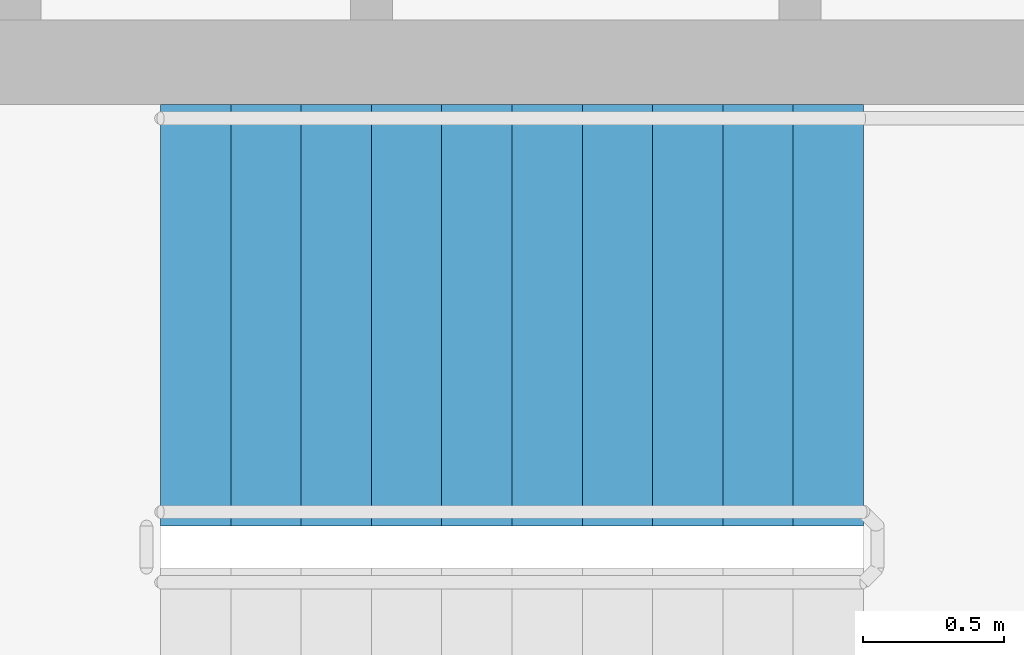
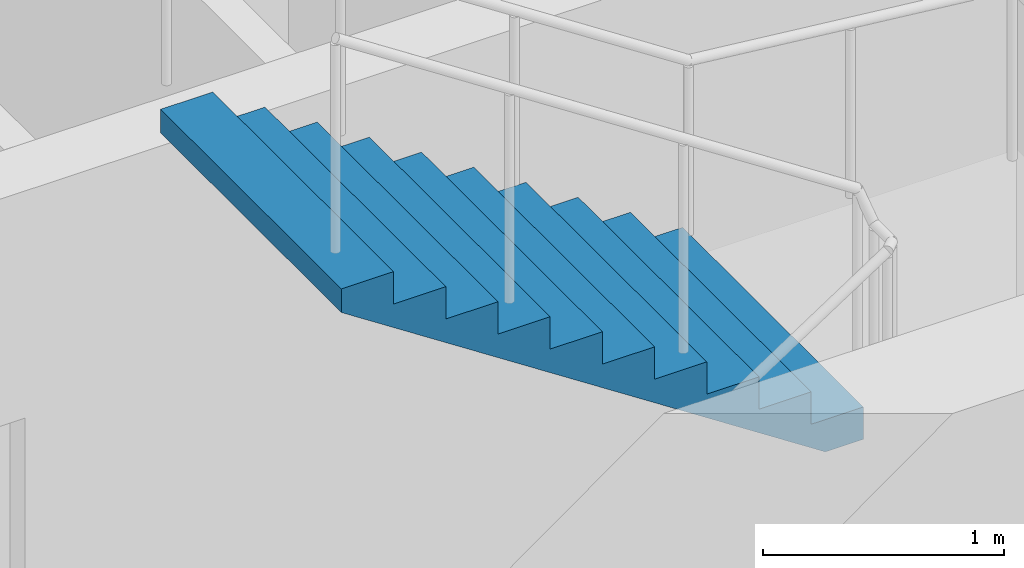
# One storey, part 12 of 13: 1 stair flight, 1 element without a shape of its own.
"""IFC4 building model written with IfcOpenShell, lengths in metres."""

from ifc_helpers import new_model, si_unit, direction, frame, origin, place, context, subcontext, project, spatial, polyline, outline, extrude, material, type_object, element, aggregate, save


model = new_model("IFC4")

# Units and contexts
model_context = context("Model", 3, precision=1e-05, world=origin(), true_north=direction((0.0, 1.0)))
body_context = subcontext(model_context, "Body", "Model", "MODEL_VIEW")
ifc_project = project(units=[si_unit("LENGTHUNIT", "METRE"), si_unit("AREAUNIT", "SQUARE_METRE"), si_unit("VOLUMEUNIT", "CUBIC_METRE"), si_unit("PLANEANGLEUNIT", "RADIAN"), si_unit("MASSUNIT", "GRAM", prefix="KILO")], contexts=[model_context])

# Site, building, storey
site_placement = place(None, origin())
site = spatial("IfcSite", under=ifc_project, at=site_placement, CompositionType="ELEMENT")
building_placement = place(site_placement, origin())
building = spatial("IfcBuilding", under=site, at=building_placement, Name="Tracery Tower", CompositionType="ELEMENT")
storey_placement = place(building_placement, frame((0.0, 0.0, 270.60009765625)))
storey = spatial("IfcBuildingStorey", under=building, at=storey_placement, Name="L70", CompositionType="ELEMENT", Elevation=270.60009765625)

# Stair, stair flight
ifc_material_1 = material(Name="Concrete C32/40", Category="concrete")
stair_type = type_object("IfcStairType", Name="Core stair 22 risers", PredefinedType="HALF_TURN_STAIR", material=ifc_material_1)
stair_placement = place(storey_placement, origin())
stair = element("IfcStair", 1, at=stair_placement, inside=storey, type_object=stair_type, Name="L70 stair ST2", PredefinedType="HALF_TURN_STAIR")
ifc_material_2 = material(Name="Concrete C32/40", Category="concrete")
stair_flight_type = type_object("IfcStairFlightType", Name="Core stair flight 11 risers", PredefinedType="STRAIGHT", material=ifc_material_2)
stair_flight_placement = place(storey_placement, frame((7.300048828125, -4.0, 1.7998046875), z_axis=(0.0, 0.0, 1.0), x_axis=(-1.0, 0.0, 0.0)))
stair_flight = element("IfcStairFlight", 2, at=stair_flight_placement, type_object=stair_flight_type, Name="ST2 flight 2", NumberOfRisers=11, NumberOfTreads=10, PredefinedType="STRAIGHT", RiserHeight=0.163636364, TreadLength=0.25, context=body_context, shape_type="SweptSolid", body=[
    extrude(outline(polyline([(0.0, 0.0), (0.0, 0.002685546875), (0.0, 0.00537109375), (0.0, 0.008056640625), (0.0, 0.0107421875), (0.0, 0.013427734375), (0.0, 0.01611328125), (0.0, 0.018798828125), (0.0, 0.021484375), (0.0, 0.024169921875), (0.0, 0.02685546875), (0.0, 0.029541015625), (0.0, 0.0322265625), (0.0, 0.034912109375), (0.0, 0.03759765625), (0.0, 0.040283203125), (0.0, 0.04296875), (0.0, 0.045654296875), (0.0, 0.04833984375), (0.0, 0.051025390625), (0.0, 0.0537109375), (0.0, 0.056396484375), (0.0, 0.05908203125), (0.0, 0.061767578125), (0.0, 0.064453125), (0.0, 0.067138671875), (0.0, 0.06982421875), (0.0, 0.072509765625), (0.0, 0.0751953125), (0.0, 0.077880859375), (0.0, 0.08056640625), (0.0, 0.083251953125), (0.0, 0.0859375), (0.0, 0.088623046875), (0.0, 0.09130859375), (0.0, 0.093994140625), (0.0, 0.0966796875), (0.0, 0.099365234375), (0.0, 0.10205078125), (0.0, 0.104736328125), (0.0, 0.107421875), (0.0, 0.10986328125), (0.0, 0.112548828125), (0.0, 0.115234375), (0.0, 0.117919921875), (0.0, 0.12060546875), (0.0, 0.123291015625), (0.0, 0.1259765625), (0.0, 0.128662109375), (0.0, 0.13134765625), (0.0, 0.134033203125), (0.0, 0.13671875), (0.0, 0.139404296875), (0.0, 0.14208984375), (0.0, 0.144775390625), (0.0, 0.1474609375), (0.0, 0.150146484375), (0.0, 0.15283203125), (0.0, 0.155517578125), (0.0, 0.158203125), (0.0, 0.160888671875), (0.0, 0.16357421875), (0.25, 0.16357421875), (0.25, 0.327392578125), (0.5, 0.327392578125), (0.5, 0.490966796875), (0.75, 0.490966796875), (0.75, 0.654541015625), (1.0, 0.654541015625), (1.0, 0.818115234375), (1.25, 0.818115234375), (1.25, 0.98193359375), (1.5, 0.98193359375), (1.5, 1.1455078125), (1.75, 1.1455078125), (1.75, 1.30908203125), (2.0, 1.30908203125), (2.0, 1.47265625), (2.25, 1.47265625), (2.25, 1.636474609375), (2.5, 1.636474609375), (2.5, 1.634521484375), (2.5, 1.63232421875), (2.5, 1.63037109375), (2.5, 1.62841796875), (2.5, 1.62646484375), (2.5, 1.62451171875), (2.5, 1.62255859375), (2.5, 1.62060546875), (2.5, 1.61865234375), (2.5, 1.61669921875), (2.5, 1.61474609375), (2.5, 1.61279296875), (2.5, 1.61083984375), (2.5, 1.60888671875), (2.5, 1.60693359375), (2.5, 1.60498046875), (2.5, 1.60302734375), (2.5, 1.60107421875), (2.5, 1.59912109375), (2.5, 1.59716796875), (2.5, 1.59521484375), (2.5, 1.59326171875), (2.5, 1.59130859375), (2.5, 1.58935546875), (2.5, 1.58740234375), (2.5, 1.58544921875), (2.5, 1.58349609375), (2.5, 1.58154296875), (2.5, 1.57958984375), (2.5, 1.57763671875), (2.5, 1.57568359375), (2.5, 1.573486328125), (2.5, 1.571533203125), (2.5, 1.569580078125), (2.5, 1.567626953125), (2.5, 1.565673828125), (2.5, 1.563720703125), (2.5, 1.561767578125), (2.5, 1.559814453125), (2.5, 1.557861328125), (2.5, 1.555908203125), (2.5, 1.553955078125), (2.5, 1.552001953125), (2.5, 1.550048828125), (2.5, 1.548095703125), (2.5, 1.546142578125), (2.5, 1.544189453125), (2.5, 1.542236328125), (2.5, 1.540283203125), (2.5, 1.538330078125), (2.5, 1.536376953125), (2.5, 1.534423828125), (2.5, 1.532470703125), (2.5, 1.530517578125), (2.5, 1.528564453125), (2.5, 1.526611328125), (2.5, 1.524658203125), (2.5, 1.522705078125), (2.5, 1.520751953125), (2.5, 1.518798828125), (2.5, 1.516845703125), (0.182861328125, 0.0), (0.0, 0.0)])), frame((0.0, 0.75, 0.0), z_axis=(0.0, -1.0, 0.0), x_axis=(1.0, 0.0, 0.0)), (0.0, 0.0, 1.0), 1.5),
])
aggregate(stair, [stair_flight])

save(model, "model.ifc")
